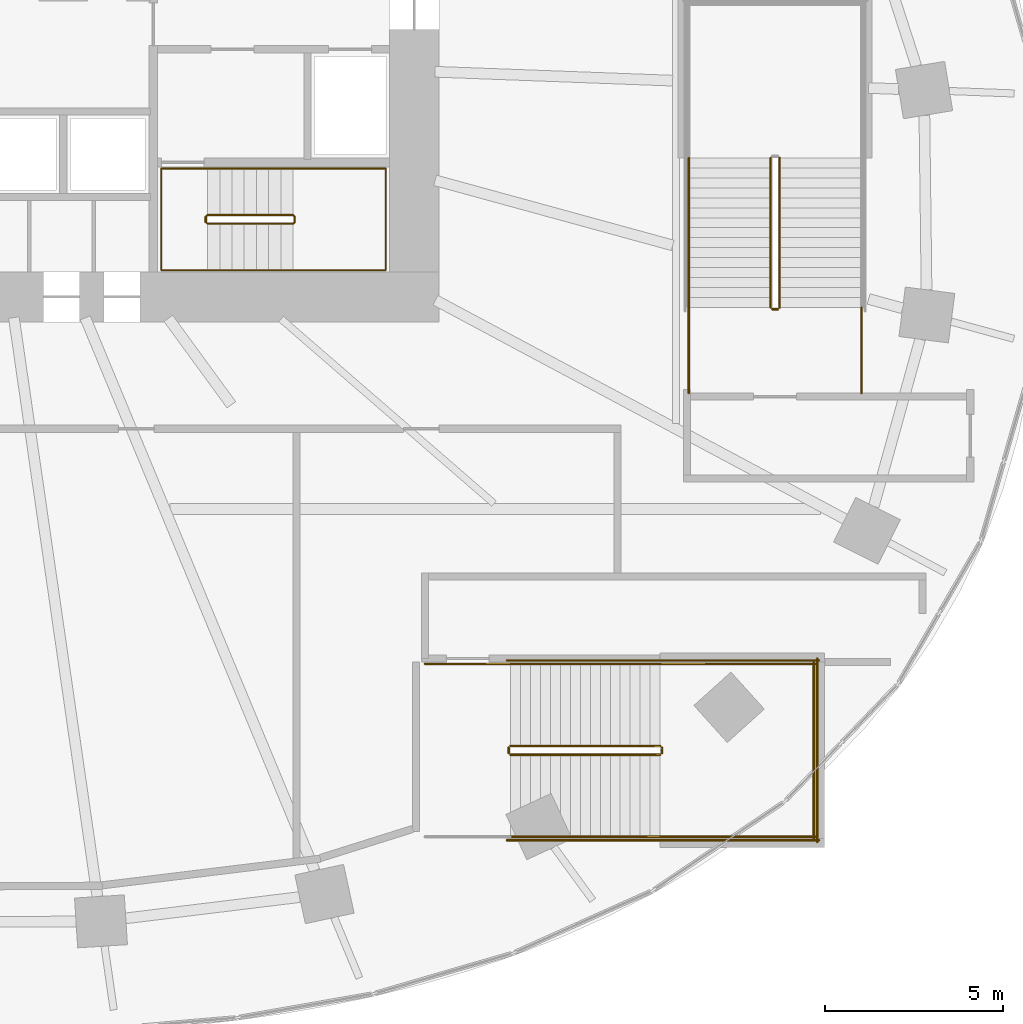
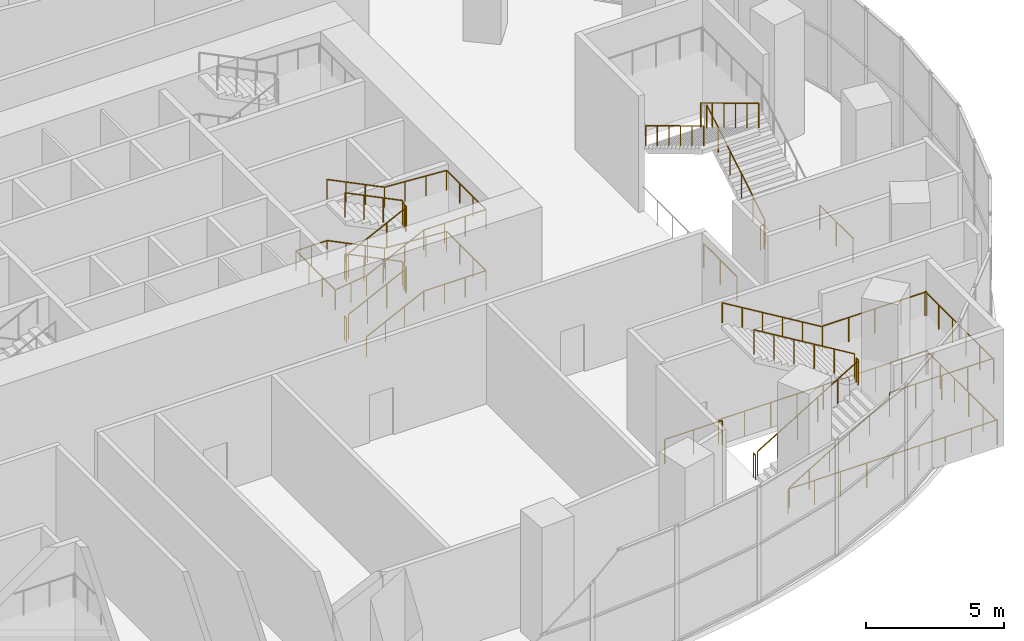
# One storey, part 18 of 20: 22 railings.
"""IFC4 building model written with IfcOpenShell, lengths in metres."""

from ifc_helpers import new_model, si_unit, direction, frame, origin, origin_2d, place, context, subcontext, project, spatial, circle, extrude, material, type_object, element, save


model = new_model("IFC4")

# Units and contexts
model_context = context("Model", 3, precision=1e-05, world=origin(), true_north=direction((0.0, 1.0)))
body_context = subcontext(model_context, "Body", "Model", "MODEL_VIEW")
ifc_project = project(units=[si_unit("LENGTHUNIT", "METRE"), si_unit("AREAUNIT", "SQUARE_METRE"), si_unit("VOLUMEUNIT", "CUBIC_METRE"), si_unit("PLANEANGLEUNIT", "RADIAN"), si_unit("MASSUNIT", "GRAM", prefix="KILO")], contexts=[model_context])

# Site, building, storey
site_placement = place(None, origin())
site = spatial("IfcSite", under=ifc_project, at=site_placement, CompositionType="ELEMENT")
building_placement = place(site_placement, origin())
building = spatial("IfcBuilding", under=site, at=building_placement, Name="Rubra Terraces Tower", CompositionType="ELEMENT")
storey_placement = place(building_placement, frame((0.0, 0.0, 22.800048828125)))
storey = spatial("IfcBuildingStorey", under=building, at=storey_placement, Name="L03", CompositionType="ELEMENT", Elevation=22.800048828125)

# Railings
ifc_material = material(Name="Stainless steel", Category="steel")
railing_type_1 = type_object("IfcRailingType", Name="Core stair guard 1100", PredefinedType="GUARDRAIL", material=ifc_material)
railing_1_placement = place(storey_placement, frame((6.5, -0.25, 0.168701171875)))
element("IfcRailing", 1, at=railing_1_placement, inside=storey, type_object=railing_type_1, Name="L03 stair S4 guard 1", PredefinedType="GUARDRAIL", context=body_context, shape_type="SweptSolid", body=[
    extrude(circle(Radius=0.02392578125, at=origin_2d()), frame((0.0, 0.0, 1.076171875), z_axis=(0.897220749972, 0.0, 0.441582297901), x_axis=(0.0, 1.0, 0.0)), (0.0, 0.0, 1.0), 2.6748046875),
    extrude(circle(Radius=0.02392578125, at=origin_2d()), frame((2.39990234375, 0.0, 2.25732421875), z_axis=(0.707106781187, 0.707106781187, 0.0), x_axis=(-0.707106781187, 0.707106781187, 0.0)), (0.0, 0.0, 1.0), 0.07080078125),
    extrude(circle(Radius=0.02392578125, at=origin_2d()), frame((2.449951171875, 0.050048828125, 2.25732421875), z_axis=(0.0, 1.0, 0.0), x_axis=(-1.0, 0.0, 0.0)), (0.0, 0.0, 1.0), 0.14990234375),
    extrude(circle(Radius=0.02392578125, at=origin_2d()), frame((2.449951171875, 0.199951171875, 2.25732421875), z_axis=(-0.273232802156, 0.273232802156, 0.922327312645), x_axis=(-0.707106781187, -0.707106781187, 0.0)), (0.0, 0.0, 1.0), 0.18310546875),
    extrude(circle(Radius=0.02392578125, at=origin_2d()), frame((2.39990234375, 0.25, 2.42626953125), z_axis=(-0.897220749972, 0.0, 0.441582297901), x_axis=(0.0, -1.0, 0.0)), (0.0, 0.0, 1.0), 2.6748046875),
    extrude(circle(Radius=0.02392578125, at=origin_2d()), frame((0.0, 0.25, 3.607421875), z_axis=(-0.707106781187, -0.707106781187, 0.0), x_axis=(0.707106781187, -0.707106781187, 0.0)), (0.0, 0.0, 1.0), 0.07080078125),
    extrude(circle(Radius=0.02392578125, at=origin_2d()), frame((-0.050048828125, 0.199951171875, 3.607421875), z_axis=(0.0, -1.0, 0.0), x_axis=(1.0, 0.0, 0.0)), (0.0, 0.0, 1.0), 0.14990234375),
    extrude(circle(Radius=0.02392578125, at=origin_2d()), frame((-0.050048828125, 0.050048828125, 3.607421875), z_axis=(0.273569069059, -0.273569069059, 0.922127935218), x_axis=(0.707106781187, 0.707106781187, 0.0)), (0.0, 0.0, 1.0), 0.182861328125),
    extrude(circle(Radius=0.02392578125, at=origin_2d()), frame((0.0, 0.0, 3.77587890625), z_axis=(0.897184586062, 0.0, 0.441655769273), x_axis=(0.0, 1.0, 0.0)), (0.0, 0.0, 1.0), 2.6748046875),
    extrude(circle(Radius=0.02392578125, at=origin_2d()), frame((2.39990234375, 0.0, 4.95751953125), z_axis=(0.707106781187, 0.707106781187, 0.0), x_axis=(-0.707106781187, 0.707106781187, 0.0)), (0.0, 0.0, 1.0), 0.07080078125),
    extrude(circle(Radius=0.02392578125, at=origin_2d()), frame((2.449951171875, 0.050048828125, 4.95751953125), z_axis=(0.0, 1.0, 0.0), x_axis=(-1.0, 0.0, 0.0)), (0.0, 0.0, 1.0), 0.14990234375),
    extrude(circle(Radius=0.02392578125, at=origin_2d()), frame((2.449951171875, 0.199951171875, 4.95751953125), z_axis=(-0.273569069059, 0.273569069059, 0.922127935218), x_axis=(-0.707106781187, -0.707106781187, 0.0)), (0.0, 0.0, 1.0), 0.182861328125),
    extrude(circle(Radius=0.02392578125, at=origin_2d()), frame((2.39990234375, 0.25, 5.1259765625), z_axis=(-0.897220749972, 0.0, 0.441582297901), x_axis=(0.0, -1.0, 0.0)), (0.0, 0.0, 1.0), 2.6748046875),
    extrude(circle(Radius=0.02099609375, at=origin_2d()), origin(), (0.0, 0.0, 1.0), 1.052001953125),
    extrude(circle(Radius=0.02099609375, at=origin_2d()), frame((0.800048828125, 0.0, 0.393798828125)), (0.0, 0.0, 1.0), 1.052001953125),
    extrude(circle(Radius=0.02099609375, at=origin_2d()), frame((1.599853515625, 0.0, 0.787353515625)), (0.0, 0.0, 1.0), 1.052001953125),
    extrude(circle(Radius=0.02099609375, at=origin_2d()), frame((2.39990234375, 0.0, 1.18115234375)), (0.0, 0.0, 1.0), 1.052001953125),
    extrude(circle(Radius=0.02099609375, at=origin_2d()), frame((2.449951171875, 0.050048828125, 1.18115234375)), (0.0, 0.0, 1.0), 1.052001953125),
    extrude(circle(Radius=0.02099609375, at=origin_2d()), frame((2.449951171875, 0.199951171875, 1.18115234375)), (0.0, 0.0, 1.0), 1.052001953125),
    extrude(circle(Radius=0.02099609375, at=origin_2d()), frame((2.39990234375, 0.25, 1.35009765625)), (0.0, 0.0, 1.0), 1.052001953125),
    extrude(circle(Radius=0.02099609375, at=origin_2d()), frame((1.599853515625, 0.25, 1.743896484375)), (0.0, 0.0, 1.0), 1.052001953125),
    extrude(circle(Radius=0.02099609375, at=origin_2d()), frame((0.800048828125, 0.25, 2.137451171875)), (0.0, 0.0, 1.0), 1.052001953125),
    extrude(circle(Radius=0.02099609375, at=origin_2d()), frame((0.0, 0.25, 2.53125)), (0.0, 0.0, 1.0), 1.052001953125),
    extrude(circle(Radius=0.02099609375, at=origin_2d()), frame((-0.050048828125, 0.199951171875, 2.53125)), (0.0, 0.0, 1.0), 1.052001953125),
    extrude(circle(Radius=0.02099609375, at=origin_2d()), frame((-0.050048828125, 0.050048828125, 2.53125)), (0.0, 0.0, 1.0), 1.052001953125),
    extrude(circle(Radius=0.02099609375, at=origin_2d()), frame((0.0, 0.0, 2.699951171875)), (0.0, 0.0, 1.0), 1.052001953125),
    extrude(circle(Radius=0.02099609375, at=origin_2d()), frame((0.800048828125, 0.0, 3.09375)), (0.0, 0.0, 1.0), 1.052001953125),
    extrude(circle(Radius=0.02099609375, at=origin_2d()), frame((1.599853515625, 0.0, 3.487548828125)), (0.0, 0.0, 1.0), 1.052001953125),
    extrude(circle(Radius=0.02099609375, at=origin_2d()), frame((2.39990234375, 0.0, 3.88134765625)), (0.0, 0.0, 1.0), 1.052001953125),
    extrude(circle(Radius=0.02099609375, at=origin_2d()), frame((2.449951171875, 0.050048828125, 3.88134765625)), (0.0, 0.0, 1.0), 1.052001953125),
    extrude(circle(Radius=0.02099609375, at=origin_2d()), frame((2.449951171875, 0.199951171875, 3.88134765625)), (0.0, 0.0, 1.0), 1.052001953125),
    extrude(circle(Radius=0.02099609375, at=origin_2d()), frame((2.39990234375, 0.25, 4.050048828125)), (0.0, 0.0, 1.0), 1.052001953125),
    extrude(circle(Radius=0.02099609375, at=origin_2d()), frame((1.599853515625, 0.25, 4.44384765625)), (0.0, 0.0, 1.0), 1.052001953125),
    extrude(circle(Radius=0.02099609375, at=origin_2d()), frame((0.800048828125, 0.25, 4.83740234375)), (0.0, 0.0, 1.0), 1.052001953125),
    extrude(circle(Radius=0.02099609375, at=origin_2d()), frame((0.0, 0.25, 5.231201171875)), (0.0, 0.0, 1.0), 1.052001953125),
])
railing_2_placement = place(storey_placement, frame((6.449951171875, -0.199951171875, 0.0)))
element("IfcRailing", 2, at=railing_2_placement, inside=storey, type_object=railing_type_1, Name="L03 stair S4 guard 2", PredefinedType="GUARDRAIL", context=body_context, shape_type="SweptSolid", body=[
    extrude(circle(Radius=0.02392578125, at=origin_2d()), frame((0.0, 0.0, 1.076171875), z_axis=(0.0, 1.0, 0.0), x_axis=(-1.0, 0.0, 0.0)), (0.0, 0.0, 1.0), 0.14990234375),
    extrude(circle(Radius=0.02099609375, at=origin_2d()), origin(), (0.0, 0.0, 1.0), 1.052001953125),
    extrude(circle(Radius=0.02099609375, at=origin_2d()), frame((0.0, 0.14990234375, 0.0)), (0.0, 0.0, 1.0), 1.052001953125),
])
railing_type_2 = type_object("IfcRailingType", Name="Core stair handrail 900", PredefinedType="HANDRAIL", material=ifc_material)
railing_3_placement = place(storey_placement, frame((6.5, -1.550048828125, 0.168701171875)))
element("IfcRailing", 3, at=railing_3_placement, inside=storey, type_object=railing_type_2, Name="L03 stair S4 handrail 1", PredefinedType="HANDRAIL", context=body_context, shape_type="SweptSolid", body=[
    extrude(circle(Radius=0.02392578125, at=origin_2d()), frame((0.0, 0.0, 0.8759765625), z_axis=(0.897220749972, 0.0, 0.441582297901), x_axis=(0.0, 1.0, 0.0)), (0.0, 0.0, 1.0), 2.6748046875),
    extrude(circle(Radius=0.02392578125, at=origin_2d()), frame((2.39990234375, 0.0, 2.05712890625), z_axis=(1.0, 0.0, 0.0), x_axis=(0.0, 1.0, 0.0)), (0.0, 0.0, 1.0), 2.60009765625),
    extrude(circle(Radius=0.02392578125, at=origin_2d()), frame((5.0, 0.0, 2.05712890625), z_axis=(0.0, 1.0, 0.0), x_axis=(-1.0, 0.0, 0.0)), (0.0, 0.0, 1.0), 2.85009765625),
    extrude(circle(Radius=0.02392578125, at=origin_2d()), frame((5.0, 2.85009765625, 2.05712890625), z_axis=(-0.997895686435, 0.0, 0.064839794837), x_axis=(0.0, -1.0, 0.0)), (0.0, 0.0, 1.0), 2.60546875),
    extrude(circle(Radius=0.02392578125, at=origin_2d()), frame((2.39990234375, 2.85009765625, 2.22607421875), z_axis=(-0.897220749972, 0.0, 0.441582297901), x_axis=(0.0, -1.0, 0.0)), (0.0, 0.0, 1.0), 2.6748046875),
    extrude(circle(Radius=0.02392578125, at=origin_2d()), frame((0.0, 2.85009765625, 3.4072265625), z_axis=(-1.0, 0.0, 0.0), x_axis=(0.0, -1.0, 0.0)), (0.0, 0.0, 1.0), 1.300048828125),
    extrude(circle(Radius=0.02392578125, at=origin_2d()), frame((-1.300048828125, 2.85009765625, 3.4072265625), z_axis=(0.0, -1.0, 0.0), x_axis=(1.0, 0.0, 0.0)), (0.0, 0.0, 1.0), 2.85009765625),
    extrude(circle(Radius=0.02392578125, at=origin_2d()), frame((-1.300048828125, 0.0, 3.4072265625), z_axis=(0.991685350679, 0.0, 0.1286863056), x_axis=(0.0, 1.0, 0.0)), (0.0, 0.0, 1.0), 1.31103515625),
    extrude(circle(Radius=0.02392578125, at=origin_2d()), frame((0.0, 0.0, 3.57568359375), z_axis=(0.897184586062, 0.0, 0.441655769273), x_axis=(0.0, 1.0, 0.0)), (0.0, 0.0, 1.0), 2.6748046875),
    extrude(circle(Radius=0.02392578125, at=origin_2d()), frame((2.39990234375, 0.0, 4.75732421875), z_axis=(1.0, 0.0, 0.0), x_axis=(0.0, 1.0, 0.0)), (0.0, 0.0, 1.0), 2.60009765625),
    extrude(circle(Radius=0.02392578125, at=origin_2d()), frame((5.0, 0.0, 4.75732421875), z_axis=(0.0, 1.0, 0.0), x_axis=(-1.0, 0.0, 0.0)), (0.0, 0.0, 1.0), 2.85009765625),
    extrude(circle(Radius=0.02392578125, at=origin_2d()), frame((5.0, 2.85009765625, 4.75732421875), z_axis=(-0.997901744757, 0.0, 0.064746488791), x_axis=(0.0, -1.0, 0.0)), (0.0, 0.0, 1.0), 2.60546875),
    extrude(circle(Radius=0.02392578125, at=origin_2d()), frame((2.39990234375, 2.85009765625, 4.92578125), z_axis=(-0.897220749972, 0.0, 0.441582297901), x_axis=(0.0, -1.0, 0.0)), (0.0, 0.0, 1.0), 2.6748046875),
    extrude(circle(Radius=0.02099609375, at=origin_2d()), origin(), (0.0, 0.0, 1.0), 0.851806640625),
    extrude(circle(Radius=0.02099609375, at=origin_2d()), frame((0.800048828125, 0.0, 0.393798828125)), (0.0, 0.0, 1.0), 0.851806640625),
    extrude(circle(Radius=0.02099609375, at=origin_2d()), frame((1.599853515625, 0.0, 0.787353515625)), (0.0, 0.0, 1.0), 0.851806640625),
    extrude(circle(Radius=0.02099609375, at=origin_2d()), frame((2.39990234375, 0.0, 1.18115234375)), (0.0, 0.0, 1.0), 0.851806640625),
    extrude(circle(Radius=0.02099609375, at=origin_2d()), frame((3.2666015625, 0.0, 1.18115234375)), (0.0, 0.0, 1.0), 0.851806640625),
    extrude(circle(Radius=0.02099609375, at=origin_2d()), frame((4.13330078125, 0.0, 1.18115234375)), (0.0, 0.0, 1.0), 0.851806640625),
    extrude(circle(Radius=0.02099609375, at=origin_2d()), frame((5.0, 0.0, 1.18115234375)), (0.0, 0.0, 1.0), 0.851806640625),
    extrude(circle(Radius=0.02099609375, at=origin_2d()), frame((5.0, 0.949951171875, 1.18115234375)), (0.0, 0.0, 1.0), 0.851806640625),
    extrude(circle(Radius=0.02099609375, at=origin_2d()), frame((5.0, 1.900146484375, 1.18115234375)), (0.0, 0.0, 1.0), 0.851806640625),
    extrude(circle(Radius=0.02099609375, at=origin_2d()), frame((5.0, 2.85009765625, 1.18115234375)), (0.0, 0.0, 1.0), 0.851806640625),
    extrude(circle(Radius=0.02099609375, at=origin_2d()), frame((4.13330078125, 2.85009765625, 1.237548828125)), (0.0, 0.0, 1.0), 0.851806640625),
    extrude(circle(Radius=0.02099609375, at=origin_2d()), frame((3.2666015625, 2.85009765625, 1.293701171875)), (0.0, 0.0, 1.0), 0.851806640625),
    extrude(circle(Radius=0.02099609375, at=origin_2d()), frame((2.39990234375, 2.85009765625, 1.35009765625)), (0.0, 0.0, 1.0), 0.851806640625),
    extrude(circle(Radius=0.02099609375, at=origin_2d()), frame((1.599853515625, 2.85009765625, 1.743896484375)), (0.0, 0.0, 1.0), 0.851806640625),
    extrude(circle(Radius=0.02099609375, at=origin_2d()), frame((0.800048828125, 2.85009765625, 2.137451171875)), (0.0, 0.0, 1.0), 0.851806640625),
    extrude(circle(Radius=0.02099609375, at=origin_2d()), frame((0.0, 2.85009765625, 2.53125)), (0.0, 0.0, 1.0), 0.851806640625),
    extrude(circle(Radius=0.02099609375, at=origin_2d()), frame((-0.64990234375, 2.85009765625, 2.53125)), (0.0, 0.0, 1.0), 0.851806640625),
    extrude(circle(Radius=0.02099609375, at=origin_2d()), frame((-1.300048828125, 2.85009765625, 2.53125)), (0.0, 0.0, 1.0), 0.851806640625),
    extrude(circle(Radius=0.02099609375, at=origin_2d()), frame((-1.300048828125, 1.900146484375, 2.53125)), (0.0, 0.0, 1.0), 0.851806640625),
    extrude(circle(Radius=0.02099609375, at=origin_2d()), frame((-1.300048828125, 0.949951171875, 2.53125)), (0.0, 0.0, 1.0), 0.851806640625),
    extrude(circle(Radius=0.02099609375, at=origin_2d()), frame((-1.300048828125, 0.0, 2.53125)), (0.0, 0.0, 1.0), 0.851806640625),
    extrude(circle(Radius=0.02099609375, at=origin_2d()), frame((-0.64990234375, 0.0, 2.61572265625)), (0.0, 0.0, 1.0), 0.851806640625),
    extrude(circle(Radius=0.02099609375, at=origin_2d()), frame((0.0, 0.0, 2.699951171875)), (0.0, 0.0, 1.0), 0.851806640625),
    extrude(circle(Radius=0.02099609375, at=origin_2d()), frame((0.800048828125, 0.0, 3.09375)), (0.0, 0.0, 1.0), 0.851806640625),
    extrude(circle(Radius=0.02099609375, at=origin_2d()), frame((1.599853515625, 0.0, 3.487548828125)), (0.0, 0.0, 1.0), 0.851806640625),
    extrude(circle(Radius=0.02099609375, at=origin_2d()), frame((2.39990234375, 0.0, 3.88134765625)), (0.0, 0.0, 1.0), 0.851806640625),
    extrude(circle(Radius=0.02099609375, at=origin_2d()), frame((3.2666015625, 0.0, 3.88134765625)), (0.0, 0.0, 1.0), 0.851806640625),
    extrude(circle(Radius=0.02099609375, at=origin_2d()), frame((4.13330078125, 0.0, 3.88134765625)), (0.0, 0.0, 1.0), 0.851806640625),
    extrude(circle(Radius=0.02099609375, at=origin_2d()), frame((5.0, 0.0, 3.88134765625)), (0.0, 0.0, 1.0), 0.851806640625),
    extrude(circle(Radius=0.02099609375, at=origin_2d()), frame((5.0, 0.949951171875, 3.88134765625)), (0.0, 0.0, 1.0), 0.851806640625),
    extrude(circle(Radius=0.02099609375, at=origin_2d()), frame((5.0, 1.900146484375, 3.88134765625)), (0.0, 0.0, 1.0), 0.851806640625),
    extrude(circle(Radius=0.02099609375, at=origin_2d()), frame((5.0, 2.85009765625, 3.88134765625)), (0.0, 0.0, 1.0), 0.851806640625),
    extrude(circle(Radius=0.02099609375, at=origin_2d()), frame((4.13330078125, 2.85009765625, 3.9375)), (0.0, 0.0, 1.0), 0.851806640625),
    extrude(circle(Radius=0.02099609375, at=origin_2d()), frame((3.2666015625, 2.85009765625, 3.993896484375)), (0.0, 0.0, 1.0), 0.851806640625),
    extrude(circle(Radius=0.02099609375, at=origin_2d()), frame((2.39990234375, 2.85009765625, 4.050048828125)), (0.0, 0.0, 1.0), 0.851806640625),
    extrude(circle(Radius=0.02099609375, at=origin_2d()), frame((1.599853515625, 2.85009765625, 4.44384765625)), (0.0, 0.0, 1.0), 0.851806640625),
    extrude(circle(Radius=0.02099609375, at=origin_2d()), frame((0.800048828125, 2.85009765625, 4.83740234375)), (0.0, 0.0, 1.0), 0.851806640625),
    extrude(circle(Radius=0.02099609375, at=origin_2d()), frame((0.0, 2.85009765625, 5.231201171875)), (0.0, 0.0, 1.0), 0.851806640625),
])
railing_type_3 = type_object("IfcRailingType", Name="Public stair guard 1100", PredefinedType="GUARDRAIL", material=ifc_material)
railing_4_placement = place(storey_placement, frame((22.550048828125, -2.60009765625, 0.168701171875)))
element("IfcRailing", 4, at=railing_4_placement, inside=storey, type_object=railing_type_3, Name="L03 PS2 stair guard 1", PredefinedType="GUARDRAIL", context=body_context, shape_type="SweptSolid", body=[
    extrude(circle(Radius=0.02392578125, at=origin_2d()), frame((0.0, 0.0, 1.076171875), z_axis=(0.0, 0.856489757249, 0.516164020179), x_axis=(-1.0, 0.0, 0.0)), (0.0, 0.0, 1.0), 4.904052734375),
    extrude(circle(Radius=0.02099609375, at=origin_2d()), origin(), (0.0, 0.0, 1.0), 1.052001953125),
    extrude(circle(Radius=0.02099609375, at=origin_2d()), frame((0.0, 0.840087890625, 0.50634765625)), (0.0, 0.0, 1.0), 1.052001953125),
    extrude(circle(Radius=0.02099609375, at=origin_2d()), frame((0.0, 1.68017578125, 1.012451171875)), (0.0, 0.0, 1.0), 1.052001953125),
    extrude(circle(Radius=0.02099609375, at=origin_2d()), frame((0.0, 2.52001953125, 1.518798828125)), (0.0, 0.0, 1.0), 1.052001953125),
    extrude(circle(Radius=0.02099609375, at=origin_2d()), frame((0.0, 3.360107421875, 2.02490234375)), (0.0, 0.0, 1.0), 1.052001953125),
    extrude(circle(Radius=0.02099609375, at=origin_2d()), frame((0.0, 4.2001953125, 2.53125)), (0.0, 0.0, 1.0), 1.052001953125),
])
railing_5_placement = place(storey_placement, frame((22.300048828125, 1.60009765625, 2.86865234375)))
element("IfcRailing", 5, at=railing_5_placement, inside=storey, type_object=railing_type_3, Name="L03 PS2 stair guard 6", PredefinedType="GUARDRAIL", context=body_context, shape_type="SweptSolid", body=[
    extrude(circle(Radius=0.02392578125, at=origin_2d()), frame((0.0, 0.0, 1.076171875), z_axis=(0.0, -0.856489757249, 0.516164020179), x_axis=(1.0, 0.0, 0.0)), (0.0, 0.0, 1.0), 4.904052734375),
    extrude(circle(Radius=0.02099609375, at=origin_2d()), origin(), (0.0, 0.0, 1.0), 1.052001953125),
    extrude(circle(Radius=0.02099609375, at=origin_2d()), frame((0.0, -0.840087890625, 0.50634765625)), (0.0, 0.0, 1.0), 1.052001953125),
    extrude(circle(Radius=0.02099609375, at=origin_2d()), frame((0.0, -1.68017578125, 1.012451171875)), (0.0, 0.0, 1.0), 1.052001953125),
    extrude(circle(Radius=0.02099609375, at=origin_2d()), frame((0.0, -2.52001953125, 1.518798828125)), (0.0, 0.0, 1.0), 1.052001953125),
    extrude(circle(Radius=0.02099609375, at=origin_2d()), frame((0.0, -3.360107421875, 2.02490234375)), (0.0, 0.0, 1.0), 1.052001953125),
    extrude(circle(Radius=0.02099609375, at=origin_2d()), frame((0.0, -4.2001953125, 2.53125)), (0.0, 0.0, 1.0), 1.052001953125),
])
railing_6_placement = place(storey_placement, frame((22.5, -2.64990234375, 0.0)))
element("IfcRailing", 6, at=railing_6_placement, inside=storey, type_object=railing_type_3, Name="L03 PS2 stair guard 7", PredefinedType="GUARDRAIL", context=body_context, shape_type="SweptSolid", body=[
    extrude(circle(Radius=0.02392578125, at=origin_2d()), frame((0.0, 0.0, 1.076171875), z_axis=(-1.0, 0.0, 0.0), x_axis=(0.0, -1.0, 0.0)), (0.0, 0.0, 1.0), 0.14990234375),
    extrude(circle(Radius=0.02099609375, at=origin_2d()), origin(), (0.0, 0.0, 1.0), 1.052001953125),
    extrude(circle(Radius=0.02099609375, at=origin_2d()), frame((-0.14990234375, 0.0, 0.0)), (0.0, 0.0, 1.0), 1.052001953125),
])
for number, where, name in (
    (7, (24.85009765625, -5.0, 0.0), "L03 PS2 stair guard 8"),
    (8, (20.0, -5.0, 0.0), "L03 PS2 stair guard 9"),
):
    element("IfcRailing", number, at=place(storey_placement, frame(where)), inside=storey, type_object=railing_type_3, Name=name, PredefinedType="GUARDRAIL", context=body_context, shape_type="SweptSolid", body=[
        extrude(circle(Radius=0.02392578125, at=origin_2d()), frame((0.0, 0.0, 1.076171875), z_axis=(0.0, 1.0, 0.0), x_axis=(-1.0, 0.0, 0.0)), (0.0, 0.0, 1.0), 2.39990234375),
        extrude(circle(Radius=0.02099609375, at=origin_2d()), origin(), (0.0, 0.0, 1.0), 1.052001953125),
        extrude(circle(Radius=0.02099609375, at=origin_2d()), frame((0.0, 1.199951171875, 0.0)), (0.0, 0.0, 1.0), 1.052001953125),
        extrude(circle(Radius=0.02099609375, at=origin_2d()), frame((0.0, 2.39990234375, 0.0)), (0.0, 0.0, 1.0), 1.052001953125),
    ])
railing_7_placement = place(storey_placement, frame((15.0, -15.14990234375, 0.168701171875)))
element("IfcRailing", 9, at=railing_7_placement, inside=storey, type_object=railing_type_3, Name="L03 PS4 stair guard 1", PredefinedType="GUARDRAIL", context=body_context, shape_type="SweptSolid", body=[
    extrude(circle(Radius=0.02392578125, at=origin_2d()), frame((0.0, 0.0, 1.076171875), z_axis=(0.856476492594, 0.0, 0.516186030065), x_axis=(0.0, 1.0, 0.0)), (0.0, 0.0, 1.0), 4.90380859375),
    extrude(circle(Radius=0.02099609375, at=origin_2d()), origin(), (0.0, 0.0, 1.0), 1.052001953125),
    extrude(circle(Radius=0.02099609375, at=origin_2d()), frame((0.840087890625, 0.0, 0.50634765625)), (0.0, 0.0, 1.0), 1.052001953125),
    extrude(circle(Radius=0.02099609375, at=origin_2d()), frame((1.679931640625, 0.0, 1.012451171875)), (0.0, 0.0, 1.0), 1.052001953125),
    extrude(circle(Radius=0.02099609375, at=origin_2d()), frame((2.52001953125, 0.0, 1.518798828125)), (0.0, 0.0, 1.0), 1.052001953125),
    extrude(circle(Radius=0.02099609375, at=origin_2d()), frame((3.35986328125, 0.0, 2.02490234375)), (0.0, 0.0, 1.0), 1.052001953125),
    extrude(circle(Radius=0.02099609375, at=origin_2d()), frame((4.199951171875, 0.0, 2.53125)), (0.0, 0.0, 1.0), 1.052001953125),
])
railing_8_placement = place(storey_placement, frame((19.25, -15.10009765625, 2.699951171875)))
element("IfcRailing", 10, at=railing_8_placement, inside=storey, type_object=railing_type_3, Name="L03 PS4 stair guard 2", PredefinedType="GUARDRAIL", context=body_context, shape_type="SweptSolid", body=[
    extrude(circle(Radius=0.02392578125, at=origin_2d()), frame((0.0, 0.0, 1.076171875), z_axis=(0.0, 1.0, 0.0), x_axis=(-1.0, 0.0, 0.0)), (0.0, 0.0, 1.0), 0.150146484375),
    extrude(circle(Radius=0.02099609375, at=origin_2d()), origin(), (0.0, 0.0, 1.0), 1.052001953125),
    extrude(circle(Radius=0.02099609375, at=origin_2d()), frame((0.0, 0.150146484375, 0.0)), (0.0, 0.0, 1.0), 1.052001953125),
])
for number, where, name in (
    (11, (19.199951171875, -17.449951171875, 2.699951171875), "L03 PS4 stair guard 3"),
    (12, (19.199951171875, -12.60009765625, 2.699951171875), "L03 PS4 stair guard 4"),
):
    element("IfcRailing", number, at=place(storey_placement, frame(where)), inside=storey, type_object=railing_type_3, Name=name, PredefinedType="GUARDRAIL", context=body_context, shape_type="SweptSolid", body=[
        extrude(circle(Radius=0.02392578125, at=origin_2d()), frame((0.0, 0.0, 1.076171875), z_axis=(1.0, 0.0, 0.0), x_axis=(0.0, 1.0, 0.0)), (0.0, 0.0, 1.0), 4.360107421875),
        extrude(circle(Radius=0.02099609375, at=origin_2d()), origin(), (0.0, 0.0, 1.0), 1.052001953125),
        extrude(circle(Radius=0.02099609375, at=origin_2d()), frame((1.090087890625, 0.0, 0.0)), (0.0, 0.0, 1.0), 1.052001953125),
        extrude(circle(Radius=0.02099609375, at=origin_2d()), frame((2.18017578125, 0.0, 0.0)), (0.0, 0.0, 1.0), 1.052001953125),
        extrude(circle(Radius=0.02099609375, at=origin_2d()), frame((3.27001953125, 0.0, 0.0)), (0.0, 0.0, 1.0), 1.052001953125),
        extrude(circle(Radius=0.02099609375, at=origin_2d()), frame((4.360107421875, 0.0, 0.0)), (0.0, 0.0, 1.0), 1.052001953125),
    ])
railing_9_placement = place(storey_placement, frame((23.510009765625, -17.5, 2.699951171875)))
element("IfcRailing", 13, at=railing_9_placement, inside=storey, type_object=railing_type_3, Name="L03 PS4 stair guard 5", PredefinedType="GUARDRAIL", context=body_context, shape_type="SweptSolid", body=[
    extrude(circle(Radius=0.02392578125, at=origin_2d()), frame((0.0, 0.0, 1.076171875), z_axis=(0.0, 1.0, 0.0), x_axis=(-1.0, 0.0, 0.0)), (0.0, 0.0, 1.0), 4.949951171875),
    extrude(circle(Radius=0.02099609375, at=origin_2d()), origin(), (0.0, 0.0, 1.0), 1.052001953125),
    extrude(circle(Radius=0.02099609375, at=origin_2d()), frame((0.0, 0.989990234375, 0.0)), (0.0, 0.0, 1.0), 1.052001953125),
    extrude(circle(Radius=0.02099609375, at=origin_2d()), frame((0.0, 1.97998046875, 0.0)), (0.0, 0.0, 1.0), 1.052001953125),
    extrude(circle(Radius=0.02099609375, at=origin_2d()), frame((0.0, 2.969970703125, 0.0)), (0.0, 0.0, 1.0), 1.052001953125),
    extrude(circle(Radius=0.02099609375, at=origin_2d()), frame((0.0, 3.9599609375, 0.0)), (0.0, 0.0, 1.0), 1.052001953125),
    extrude(circle(Radius=0.02099609375, at=origin_2d()), frame((0.0, 4.949951171875, 0.0)), (0.0, 0.0, 1.0), 1.052001953125),
])
railing_10_placement = place(storey_placement, frame((19.199951171875, -14.89990234375, 2.86865234375)))
element("IfcRailing", 14, at=railing_10_placement, inside=storey, type_object=railing_type_3, Name="L03 PS4 stair guard 6", PredefinedType="GUARDRAIL", context=body_context, shape_type="SweptSolid", body=[
    extrude(circle(Radius=0.02392578125, at=origin_2d()), frame((0.0, 0.0, 1.076171875), z_axis=(-0.856476492594, 0.0, 0.516186030065), x_axis=(0.0, -1.0, 0.0)), (0.0, 0.0, 1.0), 4.90380859375),
    extrude(circle(Radius=0.02099609375, at=origin_2d()), origin(), (0.0, 0.0, 1.0), 1.052001953125),
    extrude(circle(Radius=0.02099609375, at=origin_2d()), frame((-0.840087890625, 0.0, 0.50634765625)), (0.0, 0.0, 1.0), 1.052001953125),
    extrude(circle(Radius=0.02099609375, at=origin_2d()), frame((-1.679931640625, 0.0, 1.012451171875)), (0.0, 0.0, 1.0), 1.052001953125),
    extrude(circle(Radius=0.02099609375, at=origin_2d()), frame((-2.52001953125, 0.0, 1.518798828125)), (0.0, 0.0, 1.0), 1.052001953125),
    extrude(circle(Radius=0.02099609375, at=origin_2d()), frame((-3.35986328125, 0.0, 2.02490234375)), (0.0, 0.0, 1.0), 1.052001953125),
    extrude(circle(Radius=0.02099609375, at=origin_2d()), frame((-4.199951171875, 0.0, 2.53125)), (0.0, 0.0, 1.0), 1.052001953125),
])
railing_11_placement = place(storey_placement, frame((14.949951171875, -15.10009765625, 0.0)))
element("IfcRailing", 15, at=railing_11_placement, inside=storey, type_object=railing_type_3, Name="L03 PS4 stair guard 7", PredefinedType="GUARDRAIL", context=body_context, shape_type="SweptSolid", body=[
    extrude(circle(Radius=0.02392578125, at=origin_2d()), frame((0.0, 0.0, 1.076171875), z_axis=(0.0, 1.0, 0.0), x_axis=(-1.0, 0.0, 0.0)), (0.0, 0.0, 1.0), 0.150146484375),
    extrude(circle(Radius=0.02099609375, at=origin_2d()), origin(), (0.0, 0.0, 1.0), 1.052001953125),
    extrude(circle(Radius=0.02099609375, at=origin_2d()), frame((0.0, 0.150146484375, 0.0)), (0.0, 0.0, 1.0), 1.052001953125),
])
railing_12_placement = place(storey_placement, frame((12.60009765625, -12.60009765625, 0.0)))
element("IfcRailing", 16, at=railing_12_placement, inside=storey, type_object=railing_type_3, Name="L03 PS4 stair guard 9", PredefinedType="GUARDRAIL", context=body_context, shape_type="SweptSolid", body=[
    extrude(circle(Radius=0.02392578125, at=origin_2d()), frame((0.0, 0.0, 1.076171875), z_axis=(1.0, 0.0, 0.0), x_axis=(0.0, 1.0, 0.0)), (0.0, 0.0, 1.0), 2.39990234375),
    extrude(circle(Radius=0.02099609375, at=origin_2d()), origin(), (0.0, 0.0, 1.0), 1.052001953125),
    extrude(circle(Radius=0.02099609375, at=origin_2d()), frame((1.199951171875, 0.0, 0.0)), (0.0, 0.0, 1.0), 1.052001953125),
    extrude(circle(Radius=0.02099609375, at=origin_2d()), frame((2.39990234375, 0.0, 0.0)), (0.0, 0.0, 1.0), 1.052001953125),
])
for number, where, name in (
    (17, (14.89990234375, -17.550048828125, 0.0), "L03 PS4 stair guard 10"),
    (18, (14.89990234375, -12.5, 0.0), "L03 PS4 stair guard 11"),
):
    element("IfcRailing", number, at=place(storey_placement, frame(where)), inside=storey, type_object=railing_type_3, Name=name, PredefinedType="GUARDRAIL", context=body_context, shape_type="SweptSolid", body=[
        extrude(circle(Radius=0.02392578125, at=origin_2d()), frame((0.0, 0.0, 1.076171875), z_axis=(1.0, 0.0, 0.0), x_axis=(0.0, 1.0, 0.0)), (0.0, 0.0, 1.0), 8.760009765625),
        extrude(circle(Radius=0.02099609375, at=origin_2d()), origin(), (0.0, 0.0, 1.0), 1.052001953125),
        extrude(circle(Radius=0.02099609375, at=origin_2d()), frame((1.094970703125, 0.0, 0.0)), (0.0, 0.0, 1.0), 1.052001953125),
        extrude(circle(Radius=0.02099609375, at=origin_2d()), frame((2.18994140625, 0.0, 0.0)), (0.0, 0.0, 1.0), 1.052001953125),
        extrude(circle(Radius=0.02099609375, at=origin_2d()), frame((3.284912109375, 0.0, 0.0)), (0.0, 0.0, 1.0), 1.052001953125),
        extrude(circle(Radius=0.02099609375, at=origin_2d()), frame((4.3798828125, 0.0, 0.0)), (0.0, 0.0, 1.0), 1.052001953125),
        extrude(circle(Radius=0.02099609375, at=origin_2d()), frame((5.47509765625, 0.0, 0.0)), (0.0, 0.0, 1.0), 1.052001953125),
        extrude(circle(Radius=0.02099609375, at=origin_2d()), frame((6.570068359375, 0.0, 0.0)), (0.0, 0.0, 1.0), 1.052001953125),
        extrude(circle(Radius=0.02099609375, at=origin_2d()), frame((7.6650390625, 0.0, 0.0)), (0.0, 0.0, 1.0), 1.052001953125),
        extrude(circle(Radius=0.02099609375, at=origin_2d()), frame((8.760009765625, 0.0, 0.0)), (0.0, 0.0, 1.0), 1.052001953125),
    ])
railing_13_placement = place(storey_placement, frame((23.610107421875, -17.60009765625, 0.0)))
element("IfcRailing", 19, at=railing_13_placement, inside=storey, type_object=railing_type_3, Name="L03 PS4 stair guard 12", PredefinedType="GUARDRAIL", context=body_context, shape_type="SweptSolid", body=[
    extrude(circle(Radius=0.02392578125, at=origin_2d()), frame((0.0, 0.0, 1.076171875), z_axis=(0.0, 1.0, 0.0), x_axis=(-1.0, 0.0, 0.0)), (0.0, 0.0, 1.0), 5.150146484375),
    extrude(circle(Radius=0.02099609375, at=origin_2d()), origin(), (0.0, 0.0, 1.0), 1.052001953125),
    extrude(circle(Radius=0.02099609375, at=origin_2d()), frame((0.0, 1.030029296875, 0.0)), (0.0, 0.0, 1.0), 1.052001953125),
    extrude(circle(Radius=0.02099609375, at=origin_2d()), frame((0.0, 2.06005859375, 0.0)), (0.0, 0.0, 1.0), 1.052001953125),
    extrude(circle(Radius=0.02099609375, at=origin_2d()), frame((0.0, 3.090087890625, 0.0)), (0.0, 0.0, 1.0), 1.052001953125),
    extrude(circle(Radius=0.02099609375, at=origin_2d()), frame((0.0, 4.1201171875, 0.0)), (0.0, 0.0, 1.0), 1.052001953125),
    extrude(circle(Radius=0.02099609375, at=origin_2d()), frame((0.0, 5.150146484375, 0.0)), (0.0, 0.0, 1.0), 1.052001953125),
])
railing_type_4 = type_object("IfcRailingType", Name="Public stair handrail 900", PredefinedType="HANDRAIL", material=ifc_material)
railing_14_placement = place(storey_placement, frame((20.0, 1.60009765625, 2.86865234375)))
element("IfcRailing", 20, at=railing_14_placement, inside=storey, type_object=railing_type_4, Name="L03 PS2 stair handrail 2", PredefinedType="HANDRAIL", context=body_context, shape_type="SweptSolid", body=[
    extrude(circle(Radius=0.02392578125, at=origin_2d()), frame((0.0, 0.0, 0.8759765625), z_axis=(0.0, -0.856489757249, 0.516164020179), x_axis=(1.0, 0.0, 0.0)), (0.0, 0.0, 1.0), 4.904052734375),
    extrude(circle(Radius=0.02099609375, at=origin_2d()), origin(), (0.0, 0.0, 1.0), 0.851806640625),
    extrude(circle(Radius=0.02099609375, at=origin_2d()), frame((0.0, -0.840087890625, 0.50634765625)), (0.0, 0.0, 1.0), 0.851806640625),
    extrude(circle(Radius=0.02099609375, at=origin_2d()), frame((0.0, -1.68017578125, 1.012451171875)), (0.0, 0.0, 1.0), 0.851806640625),
    extrude(circle(Radius=0.02099609375, at=origin_2d()), frame((0.0, -2.52001953125, 1.518798828125)), (0.0, 0.0, 1.0), 0.851806640625),
    extrude(circle(Radius=0.02099609375, at=origin_2d()), frame((0.0, -3.360107421875, 2.02490234375)), (0.0, 0.0, 1.0), 0.851806640625),
    extrude(circle(Radius=0.02099609375, at=origin_2d()), frame((0.0, -4.2001953125, 2.53125)), (0.0, 0.0, 1.0), 0.851806640625),
])
railing_15_placement = place(storey_placement, frame((15.0, -17.449951171875, 0.168701171875)))
element("IfcRailing", 21, at=railing_15_placement, inside=storey, type_object=railing_type_4, Name="L03 PS4 stair handrail 1", PredefinedType="HANDRAIL", context=body_context, shape_type="SweptSolid", body=[
    extrude(circle(Radius=0.02392578125, at=origin_2d()), frame((0.0, 0.0, 0.8759765625), z_axis=(0.856476492594, 0.0, 0.516186030065), x_axis=(0.0, 1.0, 0.0)), (0.0, 0.0, 1.0), 4.90380859375),
    extrude(circle(Radius=0.02099609375, at=origin_2d()), origin(), (0.0, 0.0, 1.0), 0.851806640625),
    extrude(circle(Radius=0.02099609375, at=origin_2d()), frame((0.840087890625, 0.0, 0.50634765625)), (0.0, 0.0, 1.0), 0.851806640625),
    extrude(circle(Radius=0.02099609375, at=origin_2d()), frame((1.679931640625, 0.0, 1.012451171875)), (0.0, 0.0, 1.0), 0.851806640625),
    extrude(circle(Radius=0.02099609375, at=origin_2d()), frame((2.52001953125, 0.0, 1.518798828125)), (0.0, 0.0, 1.0), 0.851806640625),
    extrude(circle(Radius=0.02099609375, at=origin_2d()), frame((3.35986328125, 0.0, 2.02490234375)), (0.0, 0.0, 1.0), 0.851806640625),
    extrude(circle(Radius=0.02099609375, at=origin_2d()), frame((4.199951171875, 0.0, 2.53125)), (0.0, 0.0, 1.0), 0.851806640625),
])
railing_16_placement = place(storey_placement, frame((19.199951171875, -12.60009765625, 2.86865234375)))
element("IfcRailing", 22, at=railing_16_placement, inside=storey, type_object=railing_type_4, Name="L03 PS4 stair handrail 2", PredefinedType="HANDRAIL", context=body_context, shape_type="SweptSolid", body=[
    extrude(circle(Radius=0.02392578125, at=origin_2d()), frame((0.0, 0.0, 0.8759765625), z_axis=(-0.856476492594, 0.0, 0.516186030065), x_axis=(0.0, -1.0, 0.0)), (0.0, 0.0, 1.0), 4.90380859375),
    extrude(circle(Radius=0.02099609375, at=origin_2d()), origin(), (0.0, 0.0, 1.0), 0.851806640625),
    extrude(circle(Radius=0.02099609375, at=origin_2d()), frame((-0.840087890625, 0.0, 0.50634765625)), (0.0, 0.0, 1.0), 0.851806640625),
    extrude(circle(Radius=0.02099609375, at=origin_2d()), frame((-1.679931640625, 0.0, 1.012451171875)), (0.0, 0.0, 1.0), 0.851806640625),
    extrude(circle(Radius=0.02099609375, at=origin_2d()), frame((-2.52001953125, 0.0, 1.518798828125)), (0.0, 0.0, 1.0), 0.851806640625),
    extrude(circle(Radius=0.02099609375, at=origin_2d()), frame((-3.35986328125, 0.0, 2.02490234375)), (0.0, 0.0, 1.0), 0.851806640625),
    extrude(circle(Radius=0.02099609375, at=origin_2d()), frame((-4.199951171875, 0.0, 2.53125)), (0.0, 0.0, 1.0), 0.851806640625),
])

save(model, "model.ifc")
